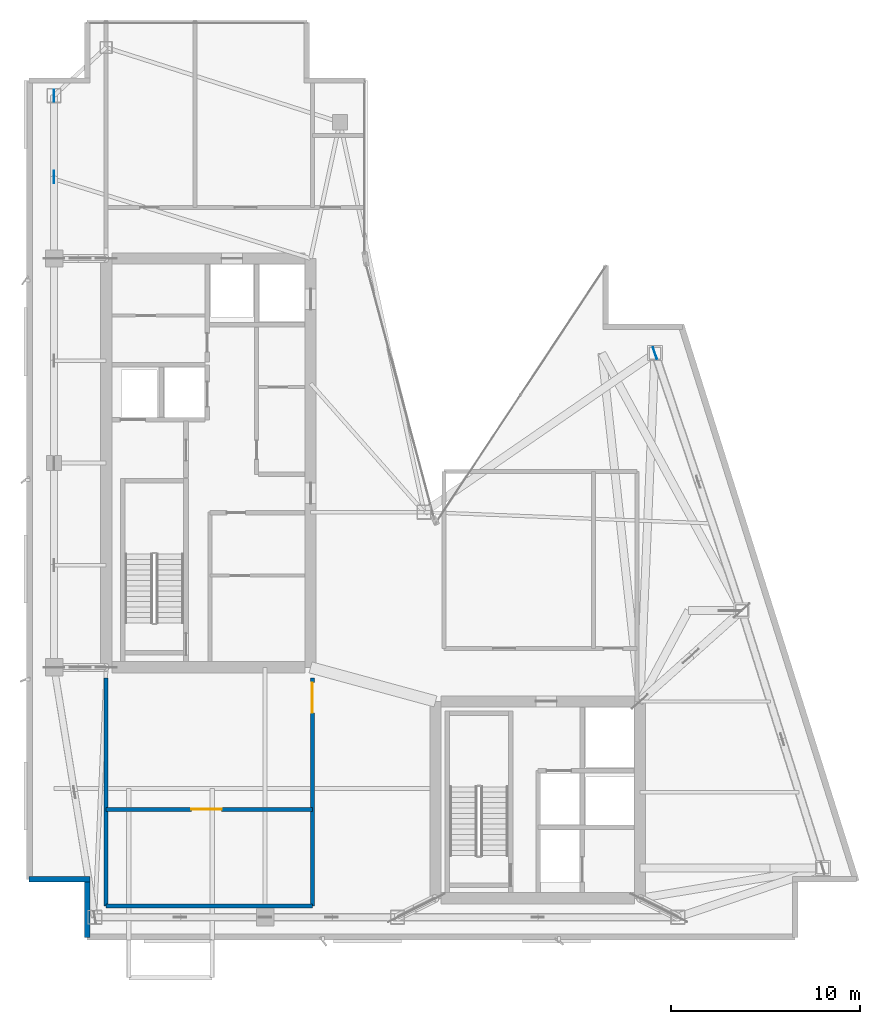
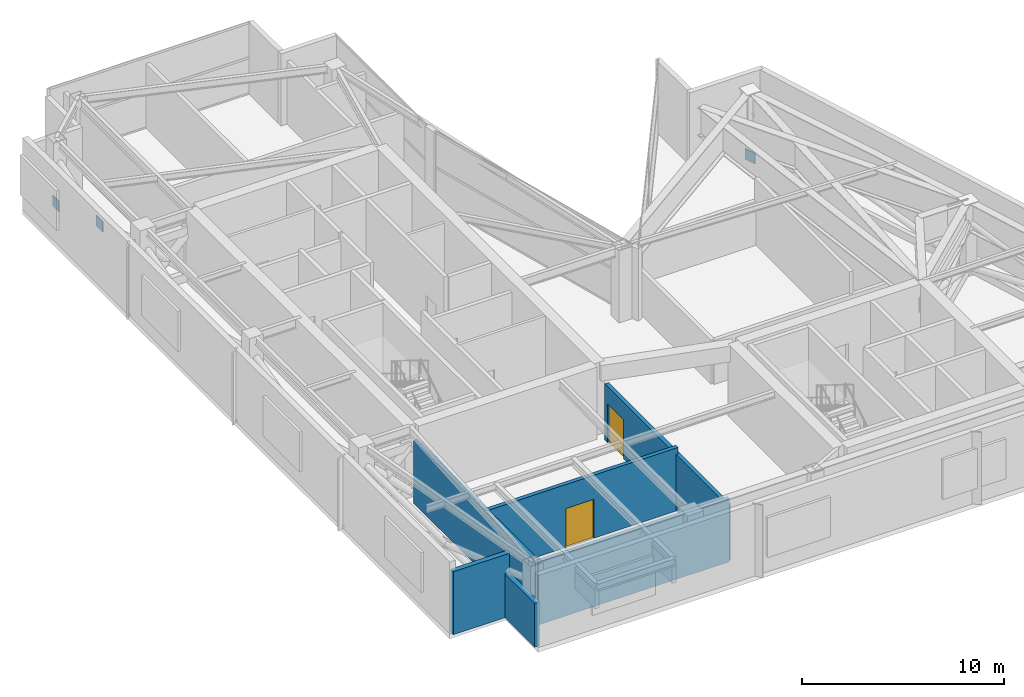
# One storey, part 11 of 15: 6 walls, 3 plates, 2 doors, 2 openings.
"""IFC4 building model written with IfcOpenShell, lengths in metres."""

from ifc_helpers import new_model, si_unit, direction, frame, frame_2d, origin, origin_2d, place, context, subcontext, project, spatial, rectangle, extrude, material, layer, layer_set, type_object, element, fill, save


model = new_model("IFC4")

# Units and contexts
model_context = context("Model", 3, precision=1e-05, world=origin(), true_north=direction((0.0, 1.0)))
body_context = subcontext(model_context, "Body", "Model", "MODEL_VIEW")
ifc_project = project(units=[si_unit("LENGTHUNIT", "METRE"), si_unit("AREAUNIT", "SQUARE_METRE"), si_unit("VOLUMEUNIT", "CUBIC_METRE"), si_unit("PLANEANGLEUNIT", "RADIAN"), si_unit("MASSUNIT", "GRAM", prefix="KILO")], contexts=[model_context])

# Site, building, storey
site_placement = place(None, origin())
site = spatial("IfcSite", under=ifc_project, at=site_placement, CompositionType="ELEMENT")
building_placement = place(site_placement, origin())
building = spatial("IfcBuilding", under=site, at=building_placement, Name="Calvorn Quay Hotel", CompositionType="ELEMENT")
storey_placement = place(building_placement, frame((0.0, 0.0, 282.5)))
storey = spatial("IfcBuildingStorey", under=building, at=storey_placement, Name="L70", CompositionType="ELEMENT", Elevation=282.5)

# Plates
ifc_material_1 = material(Name="Steel Q390GJC", Category="steel")
ifc_layer_1 = layer(ifc_material_1, 0.035888671875)
ifc_layer_set_1 = layer_set([ifc_layer_1], Name="PLT-GUSSET-36")
plate_type = type_object("IfcPlateType", Name="PLT-GUSSET-36", PredefinedType="SHEET", material=ifc_layer_set_1)
for number, where, z_axis, x_axis, name in (
    (1, (1.449951171875, 42.699951171875, 1.425048828125), (0.0, 0.0, 1.0), (0.0, 1.0, 0.0), "Belt Truss Gusset Plate L70-BW4-X"),
    (2, (1.449951171875, 47.0, 0.025146484375), (0.0, 0.0, 1.0), (0.0, 1.0, 0.0), "Belt Truss Gusset Plate L70-BW4-B"),
    (3, (33.19091796875, 33.39990234375, 0.025146484375), (0.0, 0.0, 1.0), (-0.319455515932, 0.947601273395, 0.0), "Belt Truss Gusset Plate L70-BE2-B"),
):
    element("IfcPlate", number, at=place(storey_placement, frame(where, z_axis=z_axis, x_axis=x_axis)), inside=storey, type_object=plate_type, Name=name, PredefinedType="SHEET", context=body_context, shape_type="SweptSolid", body=[
        extrude(rectangle(XDim=0.64990234375, YDim=0.035888671875, at=origin_2d()), origin(), (0.0, 0.0, 1.0), 0.64990234375),
    ])

# Walls
ifc_material_2 = material(Name="Concrete C40", Category="concrete")
ifc_layer_2 = layer(ifc_material_2, 0.320068359375)
ifc_layer_set_2 = layer_set([ifc_layer_2], Name="WL-EXT-SPANDREL-320")
wall_type_1 = type_object("IfcWallType", Name="WL-EXT-SPANDREL-320", PredefinedType="SOLIDWALL", material=ifc_layer_set_2)
wall_1_placement = place(storey_placement, frame((0.1201171875, 5.60009765625, 0.0), z_axis=(0.0, 0.0, 1.0), x_axis=(1.0, 0.0, 0.0)))
element("IfcWall", 4, at=wall_1_placement, inside=storey, type_object=wall_type_1, Name="Notched Corner Spandrel L70-SW1", PredefinedType="SOLIDWALL", context=body_context, shape_type="SweptSolid", body=[
    extrude(rectangle(XDim=3.219970703125, YDim=0.280029296875, at=frame_2d((1.60986328125, 0.0))), origin(), (0.0, 0.0, 1.0), 3.800048828125),
])
wall_2_placement = place(storey_placement, frame((3.199951171875, 5.4599609375, 0.0), z_axis=(0.0, 0.0, 1.0), x_axis=(0.0, -1.0, 0.0)))
element("IfcWall", 5, at=wall_2_placement, inside=storey, type_object=wall_type_1, Name="Notched Corner Spandrel L70-SW2", PredefinedType="SOLIDWALL", context=body_context, shape_type="SweptSolid", body=[
    extrude(rectangle(XDim=2.93994140625, YDim=0.280029296875, at=frame_2d((1.469970703125, 0.0))), origin(), (0.0, 0.0, 1.0), 2.64990234375),
])
ifc_material_3 = material(Name="Autoclaved Aerated Masonry Block", Category="masonry")
ifc_layer_3 = layer(ifc_material_3, 0.219970703125)
ifc_layer_set_3 = layer_set([ifc_layer_3], Name="WL-LOBBY-FIRE-220")
wall_type_2 = type_object("IfcWallType", Name="WL-LOBBY-FIRE-220", PredefinedType="SOLIDWALL", material=ifc_layer_set_3)
wall_3_placement = place(storey_placement, frame((4.199951171875, 4.199951171875, 0.0), z_axis=(0.0, 0.0, 1.0), x_axis=(0.0, 1.0, 0.0)))
element("IfcWall", 6, at=wall_3_placement, inside=storey, type_object=wall_type_2, Name="Partition Wall L70-WL-RF-BELT-W", PredefinedType="SOLIDWALL", context=body_context, shape_type="SweptSolid", body=[
    extrude(rectangle(XDim=12.050048828125, YDim=0.219970703125, at=frame_2d((6.02490234375, 0.0))), origin(), (0.0, 0.0, 1.0), 3.800048828125),
])
wall_4_placement = place(storey_placement, frame((4.199951171875, 4.199951171875, 0.0), z_axis=(0.0, 0.0, 1.0), x_axis=(1.0, 0.0, 0.0)))
element("IfcWall", 7, at=wall_4_placement, inside=storey, type_object=wall_type_2, Name="Partition Wall L70-WL-RF-BELT-S", PredefinedType="SOLIDWALL", context=body_context, shape_type="SweptSolid", body=[
    extrude(rectangle(XDim=10.900146484375, YDim=0.219970703125, at=frame_2d((5.4501953125, 0.0))), origin(), (0.0, 0.0, 1.0), 3.800048828125),
])

# Wall, opening, door
wall_5_placement = place(storey_placement, frame((4.199951171875, 9.300048828125, 0.0), z_axis=(0.0, 0.0, 1.0), x_axis=(1.0, 0.0, 0.0)))
wall_5 = element("IfcWall", 8, at=wall_5_placement, inside=storey, type_object=wall_type_2, Name="Partition Wall L70-WL-RF-PLT-M", PredefinedType="SOLIDWALL", context=body_context, shape_type="SweptSolid", body=[
    extrude(rectangle(XDim=10.900146484375, YDim=0.219970703125, at=frame_2d((5.4501953125, 0.0))), origin(), (0.0, 0.0, 1.0), 3.800048828125),
])
opening_1_placement = place(wall_5_placement, frame((4.5, 0.0, 0.0)))
opening_1 = element("IfcOpeningElement", 9, at=opening_1_placement, cuts=wall_5, Name="Opening D-L70-P2", PredefinedType="OPENING", context=body_context, shape_type="SweptSolid", body=[
    extrude(rectangle(XDim=1.60009765625, YDim=2.35009765625, at=frame_2d((0.800048828125, 1.175048828125))), frame((0.0, 0.119873046875, 0.0), z_axis=(0.0, -1.0, 0.0), x_axis=(1.0, 0.0, 0.0)), (0.0, 0.0, 1.0), 0.239990234375),
])
ifc_material_4 = material(Name="Heavy-Duty Steel Acoustic Plant Fire Door", Category="steel")
door_type = type_object("IfcDoorType", Name="DR-PLANT-DBL-1600", OperationType="NOTDEFINED", PredefinedType="DOOR", material=ifc_material_4)
door_1_placement = place(opening_1_placement, origin())
door_1 = element("IfcDoor", 10, at=door_1_placement, inside=storey, type_object=door_type, Name="Fire Pump Room Door", OperationType="SINGLE_SWING_RIGHT", OverallHeight=2.35009765625, OverallWidth=1.60009765625, PredefinedType="DOOR", context=body_context, shape_type="SweptSolid", body=[
    extrude(rectangle(XDim=1.60009765625, YDim=2.35009765625, at=frame_2d((0.800048828125, 1.175048828125))), frame((0.0, 0.02490234375, 0.0), z_axis=(0.0, -1.0, 0.0), x_axis=(1.0, 0.0, 0.0)), (0.0, 0.0, 1.0), 0.050048828125),
])
fill(opening_1, door_1)

wall_6_placement = place(storey_placement, frame((15.10009765625, 4.199951171875, 0.0), z_axis=(0.0, 0.0, 1.0), x_axis=(0.0, 1.0, 0.0)))
wall_6 = element("IfcWall", 11, at=wall_6_placement, inside=storey, type_object=wall_type_2, Name="Partition Wall L70-WL-RF-PLT-E", PredefinedType="SOLIDWALL", context=body_context, shape_type="SweptSolid", body=[
    extrude(rectangle(XDim=12.050048828125, YDim=0.219970703125, at=frame_2d((6.02490234375, 0.0))), origin(), (0.0, 0.0, 1.0), 3.39990234375),
])
opening_2_placement = place(wall_6_placement, frame((10.199951171875, 0.0, 0.0)))
opening_2 = element("IfcOpeningElement", 12, at=opening_2_placement, cuts=wall_6, Name="Opening D-L70-P1", PredefinedType="OPENING", context=body_context, shape_type="SweptSolid", body=[
    extrude(rectangle(XDim=1.60009765625, YDim=2.35009765625, at=frame_2d((0.800048828125, 1.175048828125))), frame((0.0, 0.119873046875, 0.0), z_axis=(0.0, -1.0, 0.0), x_axis=(1.0, 0.0, 0.0)), (0.0, 0.0, 1.0), 0.239990234375),
])
door_2_placement = place(opening_2_placement, origin())
door_2 = element("IfcDoor", 13, at=door_2_placement, inside=storey, type_object=door_type, Name="HVAC Plant Fire Door", OperationType="SINGLE_SWING_LEFT", OverallHeight=2.35009765625, OverallWidth=1.60009765625, PredefinedType="DOOR", context=body_context, shape_type="SweptSolid", body=[
    extrude(rectangle(XDim=1.60009765625, YDim=2.35009765625, at=frame_2d((0.800048828125, 1.175048828125))), frame((0.0, 0.02490234375, 0.0), z_axis=(0.0, -1.0, 0.0), x_axis=(1.0, 0.0, 0.0)), (0.0, 0.0, 1.0), 0.050048828125),
])
fill(opening_2, door_2)

save(model, "model.ifc")
